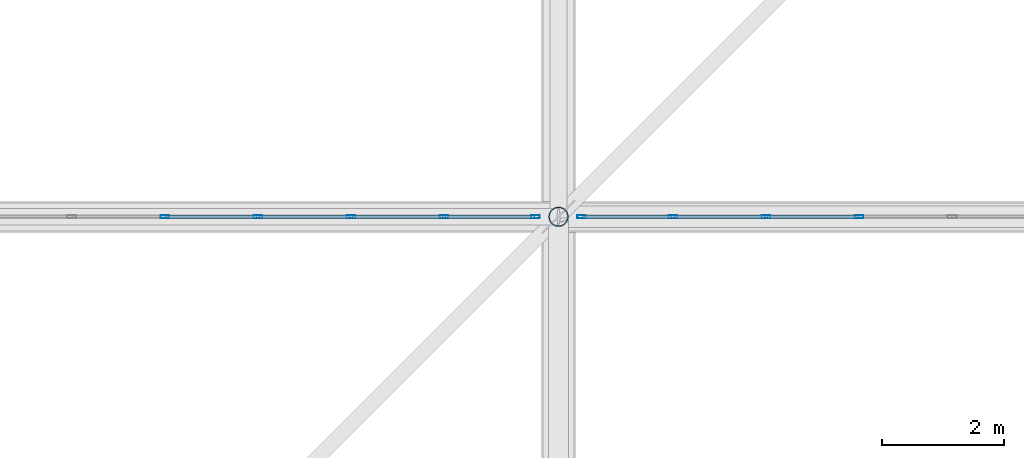
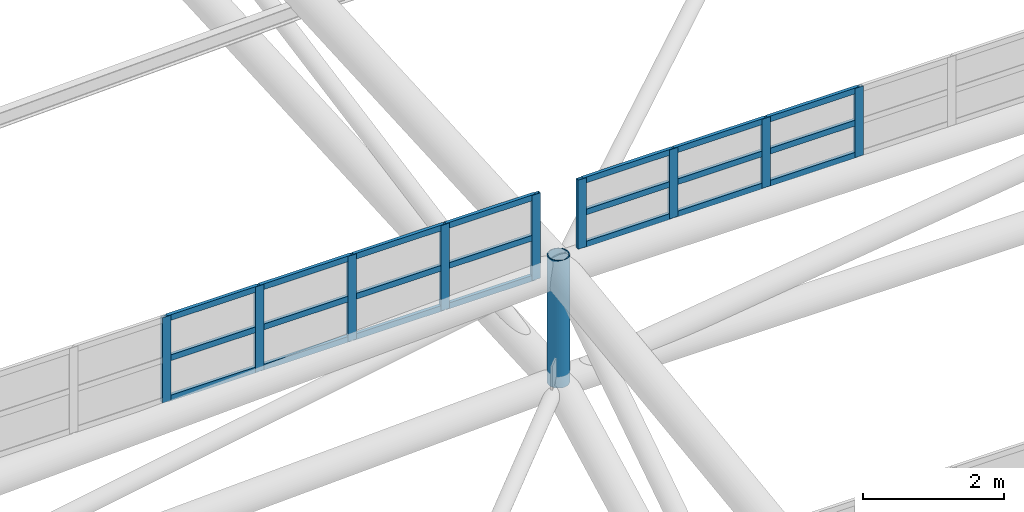
# One storey, part 45 of 397: 31 members, 2 elements without a shape of their own.
"""IFC4 building model written with IfcOpenShell, lengths in metres."""

from ifc_helpers import new_model, si_unit, direction, frame, origin, origin_2d, place, context, subcontext, project, spatial, hollow_rectangle, hollow_circle, extrude, material, material_profile, profile_set, type_object, element, aggregate, save


model = new_model("IFC4")

# Units and contexts
model_context = context("Model", 3, precision=1e-05, world=origin(), true_north=direction((0.0, 1.0)))
body_context = subcontext(model_context, "Body", "Model", "MODEL_VIEW")
ifc_project = project(units=[si_unit("LENGTHUNIT", "METRE"), si_unit("AREAUNIT", "SQUARE_METRE"), si_unit("VOLUMEUNIT", "CUBIC_METRE"), si_unit("PLANEANGLEUNIT", "RADIAN"), si_unit("MASSUNIT", "GRAM", prefix="KILO")], contexts=[model_context])

# Site, building, storey
site_placement = place(None, origin())
site = spatial("IfcSite", under=ifc_project, at=site_placement, CompositionType="ELEMENT")
building_placement = place(site_placement, origin())
building = spatial("IfcBuilding", under=site, at=building_placement, Name="Qandorah Velis Arena", CompositionType="ELEMENT")
storey_placement = place(building_placement, frame((0.0, 0.0, 27.5)))
storey = spatial("IfcBuildingStorey", under=building, at=storey_placement, Name="RF", CompositionType="ELEMENT", Elevation=27.5)

# Curtain wall, members
ifc_material_1 = material(Name="Solar-control low-E double glazing", Category="glass")
curtain_wall_type_1 = type_object("IfcCurtainWallType", Name="ARC-CW-SYS17", PredefinedType="USERDEFINED", material=ifc_material_1)
curtain_wall_1_placement = place(storey_placement, origin())
curtain_wall_1 = element("IfcCurtainWall", 1, at=curtain_wall_1_placement, inside=storey, type_object=curtain_wall_type_1, Name="Unitised curtain wall OCULUS-3-2", ObjectType="UNITISED CURTAIN WALL", PredefinedType="USERDEFINED")
ifc_material_2 = material(Name="Champagne-bronze anodized aluminium 6063-T6", Category="aluminium")
ifc_material_profile_1 = material_profile(ifc_material_2, hollow_rectangle(XDim=0.054931640625, YDim=0.139892578125, WallThickness=0.0029296875, at=origin_2d()), Name="ALU MULLION 55x140")
ifc_profile_set_1 = profile_set([ifc_material_profile_1], Name="Champagne-bronze anodized aluminium 6063-T6")
member_type_1 = type_object("IfcMemberType", Name="ARC-CWM-140", PredefinedType="MULLION", material=ifc_profile_set_1)
member_1_placement = place(storey_placement, frame((51.1611328125, 28.800048828125, 9.5341796875), z_axis=(0.0, 0.0, 1.0), x_axis=(0.0, 1.0, 0.0)))
member_1 = element("IfcMember", 2, at=member_1_placement, type_object=member_type_1, Name="CW17 mullion 6", PredefinedType="MULLION", context=body_context, shape_type="SweptSolid", body=[
    extrude(hollow_rectangle(XDim=0.054931640625, YDim=0.139892578125, WallThickness=0.0029296875, at=origin_2d()), origin(), (0.0, 0.0, 1.0), 1.480712890625),
])
member_2_placement = place(storey_placement, frame((52.683349609375, 28.800048828125, 9.5341796875), z_axis=(0.0, 0.0, 1.0), x_axis=(0.0, 1.0, 0.0)))
member_2 = element("IfcMember", 3, at=member_2_placement, type_object=member_type_1, Name="CW17 mullion 7", PredefinedType="MULLION", context=body_context, shape_type="SweptSolid", body=[
    extrude(hollow_rectangle(XDim=0.054931640625, YDim=0.139892578125, WallThickness=0.0029296875, at=origin_2d()), origin(), (0.0, 0.0, 1.0), 1.480712890625),
])
member_3_placement = place(storey_placement, frame((54.20556640625, 28.800048828125, 9.5341796875), z_axis=(0.0, 0.0, 1.0), x_axis=(0.0, 1.0, 0.0)))
member_3 = element("IfcMember", 4, at=member_3_placement, type_object=member_type_1, Name="CW17 mullion 8", PredefinedType="MULLION", context=body_context, shape_type="SweptSolid", body=[
    extrude(hollow_rectangle(XDim=0.054931640625, YDim=0.139892578125, WallThickness=0.0029296875, at=origin_2d()), origin(), (0.0, 0.0, 1.0), 1.480712890625),
])
member_4_placement = place(storey_placement, frame((55.727783203125, 28.800048828125, 9.5341796875), z_axis=(0.0, 0.0, 1.0), x_axis=(0.0, 1.0, 0.0)))
member_4 = element("IfcMember", 5, at=member_4_placement, type_object=member_type_1, Name="CW17 mullion 9", PredefinedType="MULLION", context=body_context, shape_type="SweptSolid", body=[
    extrude(hollow_rectangle(XDim=0.054931640625, YDim=0.139892578125, WallThickness=0.0029296875, at=origin_2d()), origin(), (0.0, 0.0, 1.0), 1.480712890625),
])
member_5_placement = place(storey_placement, frame((57.222412109375, 28.800048828125, 9.5341796875), z_axis=(0.0, 0.0, 1.0), x_axis=(0.0, 1.0, 0.0)))
member_5 = element("IfcMember", 6, at=member_5_placement, type_object=member_type_1, Name="CW17 mullion 10", PredefinedType="MULLION", context=body_context, shape_type="SweptSolid", body=[
    extrude(hollow_rectangle(XDim=0.054931640625, YDim=0.139892578125, WallThickness=0.0029296875, at=origin_2d()), origin(), (0.0, 0.0, 1.0), 1.480712890625),
])

curtain_wall_type_2 = type_object("IfcCurtainWallType", Name="ARC-CW-SYS18", PredefinedType="USERDEFINED", material=ifc_material_1)
curtain_wall_2_placement = place(storey_placement, origin())
curtain_wall_2 = element("IfcCurtainWall", 7, at=curtain_wall_2_placement, inside=storey, type_object=curtain_wall_type_2, Name="Unitised curtain wall OCULUS-3-3", ObjectType="UNITISED CURTAIN WALL", PredefinedType="USERDEFINED")
member_6_placement = place(storey_placement, frame((57.9775390625, 28.800048828125, 9.81640625), z_axis=(0.0, 0.0, 1.0), x_axis=(0.0, 1.0, 0.0)))
member_6 = element("IfcMember", 8, at=member_6_placement, type_object=member_type_1, Name="CW18 mullion 1", PredefinedType="MULLION", context=body_context, shape_type="SweptSolid", body=[
    extrude(hollow_rectangle(XDim=0.054931640625, YDim=0.139892578125, WallThickness=0.0029296875, at=origin_2d()), origin(), (0.0, 0.0, 1.0), 1.198486328125),
])
member_7_placement = place(storey_placement, frame((59.47216796875, 28.800048828125, 9.81640625), z_axis=(0.0, 0.0, 1.0), x_axis=(0.0, 1.0, 0.0)))
member_7 = element("IfcMember", 9, at=member_7_placement, type_object=member_type_1, Name="CW18 mullion 2", PredefinedType="MULLION", context=body_context, shape_type="SweptSolid", body=[
    extrude(hollow_rectangle(XDim=0.054931640625, YDim=0.139892578125, WallThickness=0.0029296875, at=origin_2d()), origin(), (0.0, 0.0, 1.0), 1.198486328125),
])
member_8_placement = place(storey_placement, frame((60.994384765625, 28.800048828125, 9.81640625), z_axis=(0.0, 0.0, 1.0), x_axis=(0.0, 1.0, 0.0)))
member_8 = element("IfcMember", 10, at=member_8_placement, type_object=member_type_1, Name="CW18 mullion 3", PredefinedType="MULLION", context=body_context, shape_type="SweptSolid", body=[
    extrude(hollow_rectangle(XDim=0.054931640625, YDim=0.139892578125, WallThickness=0.0029296875, at=origin_2d()), origin(), (0.0, 0.0, 1.0), 1.198486328125),
])
member_9_placement = place(storey_placement, frame((62.5166015625, 28.800048828125, 9.81640625), z_axis=(0.0, 0.0, 1.0), x_axis=(0.0, 1.0, 0.0)))
member_9 = element("IfcMember", 11, at=member_9_placement, type_object=member_type_1, Name="CW18 mullion 4", PredefinedType="MULLION", context=body_context, shape_type="SweptSolid", body=[
    extrude(hollow_rectangle(XDim=0.054931640625, YDim=0.139892578125, WallThickness=0.0029296875, at=origin_2d()), origin(), (0.0, 0.0, 1.0), 1.198486328125),
])

# Member
ifc_material_profile_2 = material_profile(ifc_material_2, hollow_rectangle(XDim=0.054931640625, YDim=0.10009765625, WallThickness=0.0029296875, at=origin_2d()), Name="ALU TRANSOM 55x100")
ifc_profile_set_2 = profile_set([ifc_material_profile_2], Name="Champagne-bronze anodized aluminium 6063-T6")
member_type_2 = type_object("IfcMemberType", Name="ARC-CWT-100", PredefinedType="USERDEFINED", material=ifc_profile_set_2)
member_10_placement = place(storey_placement, frame((51.176513671875, 28.800048828125, 9.57666015625), z_axis=(1.0, 0.0, 0.0), x_axis=(0.0, 1.0, 0.0)))
member_10 = element("IfcMember", 12, at=member_10_placement, type_object=member_type_2, Name="CW17 transom 6.1", ObjectType="TRANSOM", PredefinedType="USERDEFINED", context=body_context, shape_type="SweptSolid", body=[
    extrude(hollow_rectangle(XDim=0.054931640625, YDim=0.10009765625, WallThickness=0.0029296875, at=origin_2d()), origin(), (0.0, 0.0, 1.0), 1.4912109375),
])

member_11_placement = place(storey_placement, frame((51.176513671875, 28.800048828125, 10.274658203125), z_axis=(1.0, 0.0, 0.0), x_axis=(0.0, 1.0, 0.0)))
member_11 = element("IfcMember", 13, at=member_11_placement, type_object=member_type_2, Name="CW17 transom 6.2", ObjectType="TRANSOM", PredefinedType="USERDEFINED", context=body_context, shape_type="SweptSolid", body=[
    extrude(hollow_rectangle(XDim=0.054931640625, YDim=0.10009765625, WallThickness=0.0029296875, at=origin_2d()), origin(), (0.0, 0.0, 1.0), 1.4912109375),
])

member_12_placement = place(storey_placement, frame((51.176513671875, 28.800048828125, 10.972412109375), z_axis=(1.0, 0.0, 0.0), x_axis=(0.0, 1.0, 0.0)))
member_12 = element("IfcMember", 14, at=member_12_placement, type_object=member_type_2, Name="CW17 transom 6.3", ObjectType="TRANSOM", PredefinedType="USERDEFINED", context=body_context, shape_type="SweptSolid", body=[
    extrude(hollow_rectangle(XDim=0.054931640625, YDim=0.10009765625, WallThickness=0.0029296875, at=origin_2d()), origin(), (0.0, 0.0, 1.0), 1.4912109375),
])

member_13_placement = place(storey_placement, frame((52.69873046875, 28.800048828125, 9.57666015625), z_axis=(1.0, 0.0, 0.0), x_axis=(0.0, 1.0, 0.0)))
member_13 = element("IfcMember", 15, at=member_13_placement, type_object=member_type_2, Name="CW17 transom 7.1", ObjectType="TRANSOM", PredefinedType="USERDEFINED", context=body_context, shape_type="SweptSolid", body=[
    extrude(hollow_rectangle(XDim=0.054931640625, YDim=0.10009765625, WallThickness=0.0029296875, at=origin_2d()), origin(), (0.0, 0.0, 1.0), 1.491455078125),
])

member_14_placement = place(storey_placement, frame((52.69873046875, 28.800048828125, 10.274658203125), z_axis=(1.0, 0.0, 0.0), x_axis=(0.0, 1.0, 0.0)))
member_14 = element("IfcMember", 16, at=member_14_placement, type_object=member_type_2, Name="CW17 transom 7.2", ObjectType="TRANSOM", PredefinedType="USERDEFINED", context=body_context, shape_type="SweptSolid", body=[
    extrude(hollow_rectangle(XDim=0.054931640625, YDim=0.10009765625, WallThickness=0.0029296875, at=origin_2d()), origin(), (0.0, 0.0, 1.0), 1.491455078125),
])

member_15_placement = place(storey_placement, frame((52.69873046875, 28.800048828125, 10.972412109375), z_axis=(1.0, 0.0, 0.0), x_axis=(0.0, 1.0, 0.0)))
member_15 = element("IfcMember", 17, at=member_15_placement, type_object=member_type_2, Name="CW17 transom 7.3", ObjectType="TRANSOM", PredefinedType="USERDEFINED", context=body_context, shape_type="SweptSolid", body=[
    extrude(hollow_rectangle(XDim=0.054931640625, YDim=0.10009765625, WallThickness=0.0029296875, at=origin_2d()), origin(), (0.0, 0.0, 1.0), 1.491455078125),
])

member_16_placement = place(storey_placement, frame((54.22119140625, 28.800048828125, 9.57666015625), z_axis=(1.0, 0.0, 0.0), x_axis=(0.0, 1.0, 0.0)))
member_16 = element("IfcMember", 18, at=member_16_placement, type_object=member_type_2, Name="CW17 transom 8.1", ObjectType="TRANSOM", PredefinedType="USERDEFINED", context=body_context, shape_type="SweptSolid", body=[
    extrude(hollow_rectangle(XDim=0.054931640625, YDim=0.10009765625, WallThickness=0.0029296875, at=origin_2d()), origin(), (0.0, 0.0, 1.0), 1.4912109375),
])

member_17_placement = place(storey_placement, frame((54.22119140625, 28.800048828125, 10.274658203125), z_axis=(1.0, 0.0, 0.0), x_axis=(0.0, 1.0, 0.0)))
member_17 = element("IfcMember", 19, at=member_17_placement, type_object=member_type_2, Name="CW17 transom 8.2", ObjectType="TRANSOM", PredefinedType="USERDEFINED", context=body_context, shape_type="SweptSolid", body=[
    extrude(hollow_rectangle(XDim=0.054931640625, YDim=0.10009765625, WallThickness=0.0029296875, at=origin_2d()), origin(), (0.0, 0.0, 1.0), 1.4912109375),
])

member_18_placement = place(storey_placement, frame((54.22119140625, 28.800048828125, 10.972412109375), z_axis=(1.0, 0.0, 0.0), x_axis=(0.0, 1.0, 0.0)))
member_18 = element("IfcMember", 20, at=member_18_placement, type_object=member_type_2, Name="CW17 transom 8.3", ObjectType="TRANSOM", PredefinedType="USERDEFINED", context=body_context, shape_type="SweptSolid", body=[
    extrude(hollow_rectangle(XDim=0.054931640625, YDim=0.10009765625, WallThickness=0.0029296875, at=origin_2d()), origin(), (0.0, 0.0, 1.0), 1.4912109375),
])

member_19_placement = place(storey_placement, frame((55.743408203125, 28.800048828125, 9.57666015625), z_axis=(1.0, 0.0, 0.0), x_axis=(0.0, 1.0, 0.0)))
member_19 = element("IfcMember", 21, at=member_19_placement, type_object=member_type_2, Name="CW17 transom 9.1", ObjectType="TRANSOM", PredefinedType="USERDEFINED", context=body_context, shape_type="SweptSolid", body=[
    extrude(hollow_rectangle(XDim=0.054931640625, YDim=0.10009765625, WallThickness=0.0029296875, at=origin_2d()), origin(), (0.0, 0.0, 1.0), 1.463623046875),
])

member_20_placement = place(storey_placement, frame((55.743408203125, 28.800048828125, 10.274658203125), z_axis=(1.0, 0.0, 0.0), x_axis=(0.0, 1.0, 0.0)))
member_20 = element("IfcMember", 22, at=member_20_placement, type_object=member_type_2, Name="CW17 transom 9.2", ObjectType="TRANSOM", PredefinedType="USERDEFINED", context=body_context, shape_type="SweptSolid", body=[
    extrude(hollow_rectangle(XDim=0.054931640625, YDim=0.10009765625, WallThickness=0.0029296875, at=origin_2d()), origin(), (0.0, 0.0, 1.0), 1.463623046875),
])

member_21_placement = place(storey_placement, frame((55.743408203125, 28.800048828125, 10.972412109375), z_axis=(1.0, 0.0, 0.0), x_axis=(0.0, 1.0, 0.0)))
member_21 = element("IfcMember", 23, at=member_21_placement, type_object=member_type_2, Name="CW17 transom 9.3", ObjectType="TRANSOM", PredefinedType="USERDEFINED", context=body_context, shape_type="SweptSolid", body=[
    extrude(hollow_rectangle(XDim=0.054931640625, YDim=0.10009765625, WallThickness=0.0029296875, at=origin_2d()), origin(), (0.0, 0.0, 1.0), 1.463623046875),
])

aggregate(curtain_wall_1, [member_1, member_2, member_3, member_4, member_5, member_10, member_11, member_12, member_13, member_14, member_15, member_16, member_17, member_18, member_19, member_20, member_21])

member_22_placement = place(storey_placement, frame((57.992919921875, 28.800048828125, 9.85888671875), z_axis=(1.0, 0.0, 0.0), x_axis=(0.0, 1.0, 0.0)))
member_22 = element("IfcMember", 24, at=member_22_placement, type_object=member_type_2, Name="CW18 transom 1.1", ObjectType="TRANSOM", PredefinedType="USERDEFINED", context=body_context, shape_type="SweptSolid", body=[
    extrude(hollow_rectangle(XDim=0.054931640625, YDim=0.10009765625, WallThickness=0.0029296875, at=origin_2d()), origin(), (0.0, 0.0, 1.0), 1.4638671875),
])

member_23_placement = place(storey_placement, frame((57.992919921875, 28.800048828125, 10.415771484375), z_axis=(1.0, 0.0, 0.0), x_axis=(0.0, 1.0, 0.0)))
member_23 = element("IfcMember", 25, at=member_23_placement, type_object=member_type_2, Name="CW18 transom 1.2", ObjectType="TRANSOM", PredefinedType="USERDEFINED", context=body_context, shape_type="SweptSolid", body=[
    extrude(hollow_rectangle(XDim=0.054931640625, YDim=0.10009765625, WallThickness=0.0029296875, at=origin_2d()), origin(), (0.0, 0.0, 1.0), 1.4638671875),
])

member_24_placement = place(storey_placement, frame((57.992919921875, 28.800048828125, 10.972412109375), z_axis=(1.0, 0.0, 0.0), x_axis=(0.0, 1.0, 0.0)))
member_24 = element("IfcMember", 26, at=member_24_placement, type_object=member_type_2, Name="CW18 transom 1.3", ObjectType="TRANSOM", PredefinedType="USERDEFINED", context=body_context, shape_type="SweptSolid", body=[
    extrude(hollow_rectangle(XDim=0.054931640625, YDim=0.10009765625, WallThickness=0.0029296875, at=origin_2d()), origin(), (0.0, 0.0, 1.0), 1.4638671875),
])

member_25_placement = place(storey_placement, frame((59.48779296875, 28.800048828125, 9.85888671875), z_axis=(1.0, 0.0, 0.0), x_axis=(0.0, 1.0, 0.0)))
member_25 = element("IfcMember", 27, at=member_25_placement, type_object=member_type_2, Name="CW18 transom 2.1", ObjectType="TRANSOM", PredefinedType="USERDEFINED", context=body_context, shape_type="SweptSolid", body=[
    extrude(hollow_rectangle(XDim=0.054931640625, YDim=0.10009765625, WallThickness=0.0029296875, at=origin_2d()), origin(), (0.0, 0.0, 1.0), 1.4912109375),
])

member_26_placement = place(storey_placement, frame((59.48779296875, 28.800048828125, 10.415771484375), z_axis=(1.0, 0.0, 0.0), x_axis=(0.0, 1.0, 0.0)))
member_26 = element("IfcMember", 28, at=member_26_placement, type_object=member_type_2, Name="CW18 transom 2.2", ObjectType="TRANSOM", PredefinedType="USERDEFINED", context=body_context, shape_type="SweptSolid", body=[
    extrude(hollow_rectangle(XDim=0.054931640625, YDim=0.10009765625, WallThickness=0.0029296875, at=origin_2d()), origin(), (0.0, 0.0, 1.0), 1.4912109375),
])

member_27_placement = place(storey_placement, frame((59.48779296875, 28.800048828125, 10.972412109375), z_axis=(1.0, 0.0, 0.0), x_axis=(0.0, 1.0, 0.0)))
member_27 = element("IfcMember", 29, at=member_27_placement, type_object=member_type_2, Name="CW18 transom 2.3", ObjectType="TRANSOM", PredefinedType="USERDEFINED", context=body_context, shape_type="SweptSolid", body=[
    extrude(hollow_rectangle(XDim=0.054931640625, YDim=0.10009765625, WallThickness=0.0029296875, at=origin_2d()), origin(), (0.0, 0.0, 1.0), 1.4912109375),
])

member_28_placement = place(storey_placement, frame((61.010009765625, 28.800048828125, 9.85888671875), z_axis=(1.0, 0.0, 0.0), x_axis=(0.0, 1.0, 0.0)))
member_28 = element("IfcMember", 30, at=member_28_placement, type_object=member_type_2, Name="CW18 transom 3.1", ObjectType="TRANSOM", PredefinedType="USERDEFINED", context=body_context, shape_type="SweptSolid", body=[
    extrude(hollow_rectangle(XDim=0.054931640625, YDim=0.10009765625, WallThickness=0.0029296875, at=origin_2d()), origin(), (0.0, 0.0, 1.0), 1.4912109375),
])

member_29_placement = place(storey_placement, frame((61.010009765625, 28.800048828125, 10.415771484375), z_axis=(1.0, 0.0, 0.0), x_axis=(0.0, 1.0, 0.0)))
member_29 = element("IfcMember", 31, at=member_29_placement, type_object=member_type_2, Name="CW18 transom 3.2", ObjectType="TRANSOM", PredefinedType="USERDEFINED", context=body_context, shape_type="SweptSolid", body=[
    extrude(hollow_rectangle(XDim=0.054931640625, YDim=0.10009765625, WallThickness=0.0029296875, at=origin_2d()), origin(), (0.0, 0.0, 1.0), 1.4912109375),
])

member_30_placement = place(storey_placement, frame((61.010009765625, 28.800048828125, 10.972412109375), z_axis=(1.0, 0.0, 0.0), x_axis=(0.0, 1.0, 0.0)))
member_30 = element("IfcMember", 32, at=member_30_placement, type_object=member_type_2, Name="CW18 transom 3.3", ObjectType="TRANSOM", PredefinedType="USERDEFINED", context=body_context, shape_type="SweptSolid", body=[
    extrude(hollow_rectangle(XDim=0.054931640625, YDim=0.10009765625, WallThickness=0.0029296875, at=origin_2d()), origin(), (0.0, 0.0, 1.0), 1.4912109375),
])

aggregate(curtain_wall_2, [member_6, member_7, member_8, member_9, member_22, member_23, member_24, member_25, member_26, member_27, member_28, member_29, member_30])

ifc_material_3 = material(Name="Steel S355", Category="steel")
ifc_material_profile_3 = material_profile(ifc_material_3, hollow_circle(Radius=0.161865234375, WallThickness=0.01611328125, at=origin_2d()), Name="CHS 323.9x16")
ifc_profile_set_3 = profile_set([ifc_material_profile_3], Name="Steel S355")
member_type_3 = type_object("IfcMemberType", Name="STR-SFD-CHS323X16", PredefinedType="CHORD", material=ifc_profile_set_3)
member_31_placement = place(storey_placement, frame((57.60009765625, 28.800048828125, 7.61328125), z_axis=(0.0, 0.0, 1.0), x_axis=(1.0, 0.0, 0.0)))
element("IfcMember", 33, at=member_31_placement, inside=storey, type_object=member_type_3, Name="Space frame roof vertical post 3.1", PredefinedType="CHORD", context=body_context, shape_type="SweptSolid", body=[
    extrude(hollow_circle(Radius=0.161865234375, WallThickness=0.01611328125, at=origin_2d()), origin(), (0.0, 0.0, 1.0), 2.2099609375),
])

save(model, "model.ifc")
